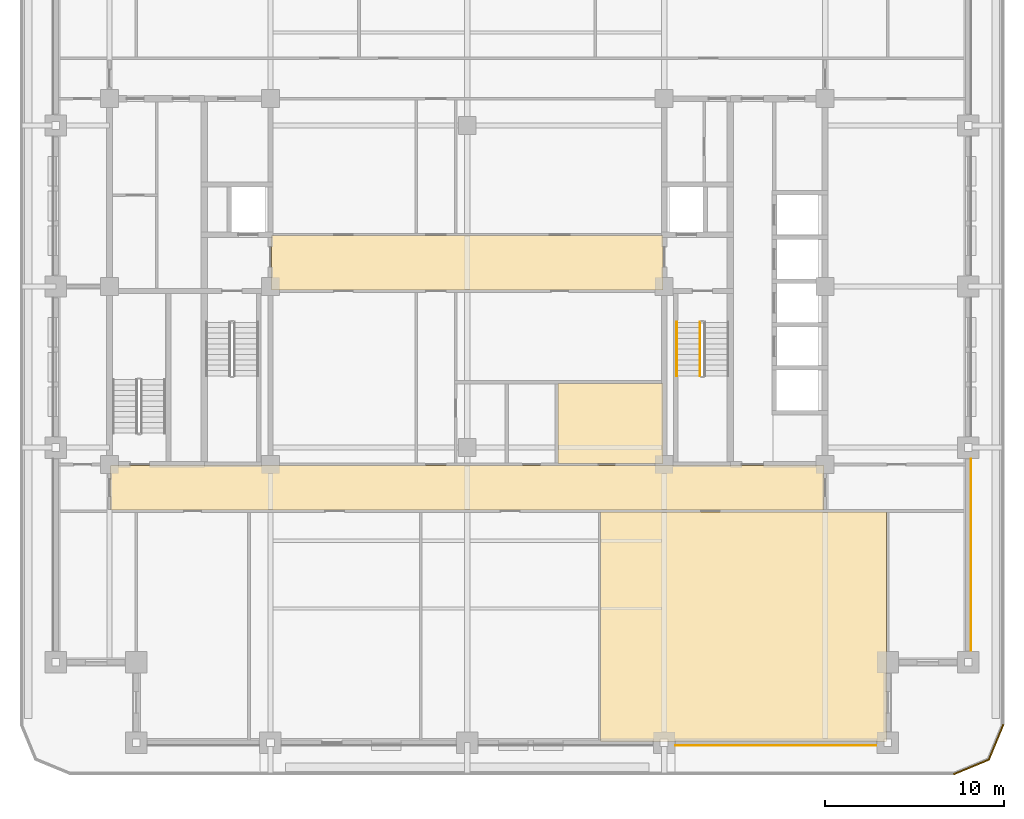
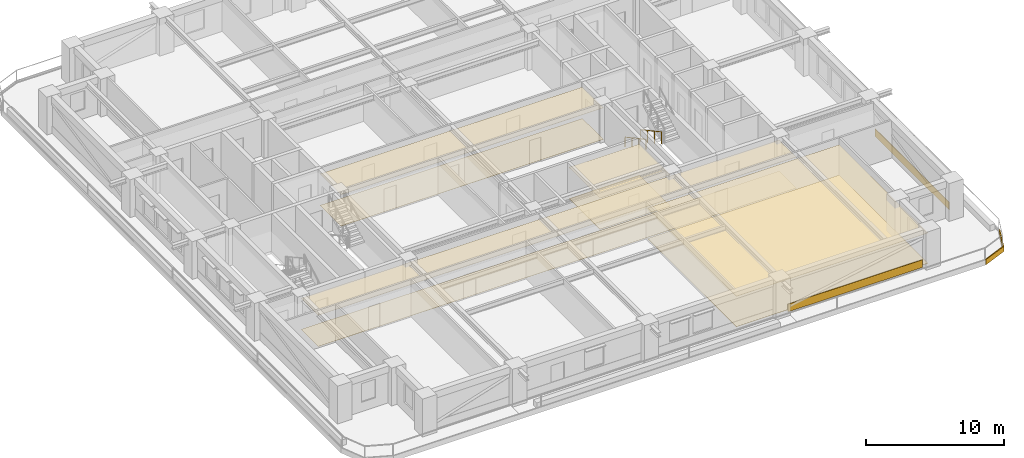
# One storey, part 12 of 14: 12 coverings, 2 railings.
"""IFC4 building model written with IfcOpenShell, lengths in metres."""

from ifc_helpers import new_model, si_unit, direction, frame, frame_2d, origin, origin_2d, place, context, subcontext, project, spatial, polyline, rectangle, outline, extrude, material, layer, layer_set, type_object, element, save


model = new_model("IFC4")

# Units and contexts
model_context = context("Model", 3, precision=1e-05, world=origin(), true_north=direction((0.0, 1.0)))
body_context = subcontext(model_context, "Body", "Model", "MODEL_VIEW")
ifc_project = project(units=[si_unit("LENGTHUNIT", "METRE"), si_unit("AREAUNIT", "SQUARE_METRE"), si_unit("VOLUMEUNIT", "CUBIC_METRE"), si_unit("PLANEANGLEUNIT", "RADIAN"), si_unit("MASSUNIT", "GRAM", prefix="KILO")], contexts=[model_context])

# Site, building, storey
site_placement = place(None, origin())
site = spatial("IfcSite", under=ifc_project, at=site_placement, CompositionType="ELEMENT")
building_placement = place(site_placement, origin())
building = spatial("IfcBuilding", under=site, at=building_placement, Name="Zulmaris Gate Convention Tower", CompositionType="ELEMENT")
storey_placement = place(building_placement, frame((0.0, 0.0, 98.5)))
storey = spatial("IfcBuildingStorey", under=building, at=storey_placement, Name="L24", CompositionType="ELEMENT", Elevation=98.5)

# Coverings
ifc_material_1 = material(Name="Precast concrete C40/50", Category="concrete")
ifc_layer_1 = layer(ifc_material_1, 0.0400390625, Name="Precast concrete C40/50")
ifc_layer_set_1 = layer_set([ifc_layer_1], Name="Precast concrete C40/50")
covering_type_1 = type_object("IfcCoveringType", Name="CLAD-SPANDREL-PRECAST", PredefinedType="CLADDING", material=ifc_layer_set_1)
covering_1_placement = place(storey_placement, frame((11.6298828125, -25.64990234375, 0.0), z_axis=(0.0, 0.0, 1.0), x_axis=(1.0, 0.0, 0.0)))
element("IfcCovering", 1, at=covering_1_placement, inside=storey, type_object=covering_type_1, Name="CLD-L24-S-3_0", PredefinedType="CLADDING", context=body_context, shape_type="SweptSolid", body=[
    extrude(rectangle(XDim=11.240234375, YDim=0.0400390625, at=frame_2d((5.6201171875, 0.0))), origin(), (0.0, 0.0, 1.0), 0.679931640625),
])
covering_2_placement = place(storey_placement, frame((28.14990234375, -20.3701171875, 0.0), z_axis=(0.0, 0.0, 1.0), x_axis=(0.0, 1.0, 0.0)))
element("IfcCovering", 2, at=covering_2_placement, inside=storey, type_object=covering_type_1, Name="CLD-L24-E-0_0", PredefinedType="CLADDING", context=body_context, shape_type="SweptSolid", body=[
    extrude(rectangle(XDim=10.740234375, YDim=0.0400390625, at=frame_2d((5.3701171875, 0.0))), origin(), (0.0, 0.0, 1.0), 0.679931640625),
])
ifc_material_2 = material(Name="White Glazed Architectural Precast Concrete C40/50", Category="concrete")
ifc_layer_2 = layer(ifc_material_2, 0.080078125, Name="White Glazed Architectural Precast Concrete C40/50")
ifc_layer_set_2 = layer_set([ifc_layer_2], Name="White Glazed Architectural Precast Concrete C40/50")
covering_type_2 = type_object("IfcCoveringType", Name="CLAD-TRAY-FASCIA", PredefinedType="CLADDING", material=ifc_layer_set_2)
covering_3_placement = place(storey_placement, frame((27.184814453125, -27.262939453125, -0.31494140625), z_axis=(0.0, 0.0, 1.0), x_axis=(0.923873803533, 0.382697263049, 0.0)))
element("IfcCovering", 3, at=covering_3_placement, inside=storey, type_object=covering_type_2, Name="FSC-L24-TR-03", PredefinedType="CLADDING", context=body_context, shape_type="SweptSolid", body=[
    extrude(rectangle(XDim=2.142822265625, YDim=0.080078125, at=frame_2d((1.0712890625, 0.0))), origin(), (0.0, 0.0, 1.0), 0.4599609375),
])
covering_4_placement = place(storey_placement, frame((29.142822265625, -26.464599609375, -0.31494140625), z_axis=(0.0, 0.0, 1.0), x_axis=(0.382656984709, 0.923890487046, 0.0)))
element("IfcCovering", 4, at=covering_4_placement, inside=storey, type_object=covering_type_2, Name="FSC-L24-TR-04", PredefinedType="CLADDING", context=body_context, shape_type="SweptSolid", body=[
    extrude(rectangle(XDim=2.14306640625, YDim=0.080078125, at=frame_2d((1.071533203125, 0.0))), origin(), (0.0, 0.0, 1.0), 0.4599609375),
])
ifc_material_3 = material(Name="Mineral Fibre Acoustic Ceiling Tile")
ifc_layer_3 = layer(ifc_material_3, 0.02001953125, Name="Mineral Fibre Acoustic Ceiling Tile")
ifc_layer_set_3 = layer_set([ifc_layer_3], Name="Mineral Fibre Acoustic Ceiling Tile")
covering_type_3 = type_object("IfcCoveringType", Name="CLG-ACOUSTIC-600", PredefinedType="CEILING", material=ifc_layer_set_3)
covering_5_placement = place(storey_placement, frame((0.0, 0.0, 2.752685546875)))
element("IfcCovering", 5, at=covering_5_placement, inside=storey, type_object=covering_type_3, Name="CLG-L24-R29", PredefinedType="CEILING", context=body_context, shape_type="SweptSolid", body=[
    extrude(outline(polyline([(-19.93994140625, -12.489990234375), (19.93994140625, -12.489990234375), (19.93994140625, -10.010009765625), (-19.93994140625, -10.010009765625), (-19.93994140625, -12.489990234375)])), origin(), (0.0, 0.0, 1.0), 0.02001953125),
])
covering_6_placement = place(storey_placement, frame((0.0, 0.0, 2.77783203125)))
element("IfcCovering", 6, at=covering_6_placement, inside=storey, type_object=covering_type_3, Name="CLG-L24-R30", PredefinedType="CEILING", context=body_context, shape_type="SweptSolid", body=[
    extrude(outline(polyline([(-10.93994140625, -0.18994140625), (10.93994140625, -0.18994140625), (10.93994140625, 2.840087890625), (-10.93994140625, 2.840087890625), (-10.93994140625, -0.18994140625)])), origin(), (0.0, 0.0, 1.0), 0.02001953125),
])
covering_7_placement = place(storey_placement, frame((0.0, 0.0, 2.6796875)))
element("IfcCovering", 7, at=covering_7_placement, inside=storey, type_object=covering_type_3, Name="CLG-L24-R39", PredefinedType="CEILING", context=body_context, shape_type="SweptSolid", body=[
    extrude(outline(polyline([(7.4599609375, -25.43994140625), (23.43994140625, -25.43994140625), (23.43994140625, -12.610107421875), (7.4599609375, -12.610107421875), (7.4599609375, -25.43994140625)])), origin(), (0.0, 0.0, 1.0), 0.02001953125),
])
covering_8_placement = place(storey_placement, frame((0.0, 0.0, 2.752685546875)))
element("IfcCovering", 8, at=covering_8_placement, inside=storey, type_object=covering_type_3, Name="CLG-L24-R46", PredefinedType="CEILING", context=body_context, shape_type="SweptSolid", body=[
    extrude(outline(polyline([(5.06005859375, -9.889892578125), (10.93994140625, -9.889892578125), (10.93994140625, -5.409912109375), (5.06005859375, -5.409912109375), (5.06005859375, -9.889892578125)])), origin(), (0.0, 0.0, 1.0), 0.02001953125),
])
ifc_material_4 = material(Name="Woven Acoustic Wool Carpet Tile")
ifc_layer_4 = layer(ifc_material_4, 0.02001953125, Name="Woven Acoustic Wool Carpet Tile")
ifc_layer_set_4 = layer_set([ifc_layer_4], Name="Woven Acoustic Wool Carpet Tile")
covering_type_4 = type_object("IfcCoveringType", Name="FLR-CARPET-12", PredefinedType="FLOORING", material=ifc_layer_set_4)
covering_9_placement = place(storey_placement, origin())
element("IfcCovering", 9, at=covering_9_placement, inside=storey, type_object=covering_type_4, Name="FLR-L24-R29", PredefinedType="FLOORING", context=body_context, shape_type="SweptSolid", body=[
    extrude(outline(polyline([(-19.93994140625, -12.489990234375), (19.93994140625, -12.489990234375), (19.93994140625, -10.010009765625), (-19.93994140625, -10.010009765625), (-19.93994140625, -12.489990234375)])), origin(), (0.0, 0.0, 1.0), 0.02001953125),
])
covering_10_placement = place(storey_placement, origin())
element("IfcCovering", 10, at=covering_10_placement, inside=storey, type_object=covering_type_4, Name="FLR-L24-R30", PredefinedType="FLOORING", context=body_context, shape_type="SweptSolid", body=[
    extrude(outline(polyline([(-10.93994140625, -0.18994140625), (10.93994140625, -0.18994140625), (10.93994140625, 2.840087890625), (-10.93994140625, 2.840087890625), (-10.93994140625, -0.18994140625)])), origin(), (0.0, 0.0, 1.0), 0.02001953125),
])
covering_11_placement = place(storey_placement, origin())
element("IfcCovering", 11, at=covering_11_placement, inside=storey, type_object=covering_type_4, Name="FLR-L24-R39", PredefinedType="FLOORING", context=body_context, shape_type="SweptSolid", body=[
    extrude(outline(polyline([(7.4599609375, -25.43994140625), (23.43994140625, -25.43994140625), (23.43994140625, -12.610107421875), (7.4599609375, -12.610107421875), (7.4599609375, -25.43994140625)])), origin(), (0.0, 0.0, 1.0), 0.02001953125),
])
covering_12_placement = place(storey_placement, origin())
element("IfcCovering", 12, at=covering_12_placement, inside=storey, type_object=covering_type_4, Name="FLR-L24-R46", PredefinedType="FLOORING", context=body_context, shape_type="SweptSolid", body=[
    extrude(outline(polyline([(5.06005859375, -9.889892578125), (10.93994140625, -9.889892578125), (10.93994140625, -5.409912109375), (5.06005859375, -5.409912109375), (5.06005859375, -9.889892578125)])), origin(), (0.0, 0.0, 1.0), 0.02001953125),
])

# Railings
ifc_material_5 = material(Name="Painted Galvanised Steel", Category="steel")
railing_type_1 = type_object("IfcRailingType", Name="RL-STG-1150", PredefinedType="GUARDRAIL", material=ifc_material_5)
railing_1_placement = place(storey_placement, frame((13.010009765625, -2.0, 0.162353515625)))
element("IfcRailing", 13, at=railing_1_placement, inside=storey, type_object=railing_type_1, Name="L24 ST-2 stair guard 1", PredefinedType="GUARDRAIL", context=body_context, shape_type="SweptSolid", body=[
    extrude(rectangle(XDim=0.048095703125, YDim=0.048095703125, at=origin_2d()), frame((0.0, 0.0, 1.076171875), z_axis=(0.0, -0.879591569277, 0.475729619907), x_axis=(1.0, 0.0, 0.0)), (0.0, 0.0, 1.0), 3.41064453125),
    extrude(rectangle(XDim=0.0419921875, YDim=0.0419921875, at=origin_2d()), origin(), (0.0, 0.0, 1.0), 1.052001953125),
    extrude(rectangle(XDim=0.0419921875, YDim=0.0419921875, at=origin_2d()), frame((0.0, -1.0, 0.540771484375)), (0.0, 0.0, 1.0), 1.052001953125),
    extrude(rectangle(XDim=0.0419921875, YDim=0.0419921875, at=origin_2d()), frame((0.0, -2.0, 1.081787109375)), (0.0, 0.0, 1.0), 1.052001953125),
    extrude(rectangle(XDim=0.0419921875, YDim=0.0419921875, at=origin_2d()), frame((0.0, -3.0, 1.62255859375)), (0.0, 0.0, 1.0), 1.052001953125),
])
ifc_material_6 = material(Name="Brushed Stainless Steel", Category="steel")
railing_type_2 = type_object("IfcRailingType", Name="RL-STH-900", PredefinedType="HANDRAIL", material=ifc_material_6)
railing_2_placement = place(storey_placement, frame((11.7099609375, -2.0, 0.162353515625)))
element("IfcRailing", 14, at=railing_2_placement, inside=storey, type_object=railing_type_2, Name="L24 ST-2 stair handrail 1", PredefinedType="HANDRAIL", context=body_context, shape_type="SweptSolid", body=[
    extrude(rectangle(XDim=0.048095703125, YDim=0.048095703125, at=origin_2d()), frame((0.0, 0.0, 0.8759765625), z_axis=(0.0, -0.879591569277, 0.475729619907), x_axis=(1.0, 0.0, 0.0)), (0.0, 0.0, 1.0), 3.41064453125),
    extrude(rectangle(XDim=0.0419921875, YDim=0.0419921875, at=origin_2d()), origin(), (0.0, 0.0, 1.0), 0.851806640625),
    extrude(rectangle(XDim=0.0419921875, YDim=0.0419921875, at=origin_2d()), frame((0.0, -1.0, 0.540771484375)), (0.0, 0.0, 1.0), 0.851806640625),
    extrude(rectangle(XDim=0.0419921875, YDim=0.0419921875, at=origin_2d()), frame((0.0, -2.0, 1.081787109375)), (0.0, 0.0, 1.0), 0.851806640625),
    extrude(rectangle(XDim=0.0419921875, YDim=0.0419921875, at=origin_2d()), frame((0.0, -3.0, 1.62255859375)), (0.0, 0.0, 1.0), 0.851806640625),
])

save(model, "model.ifc")
